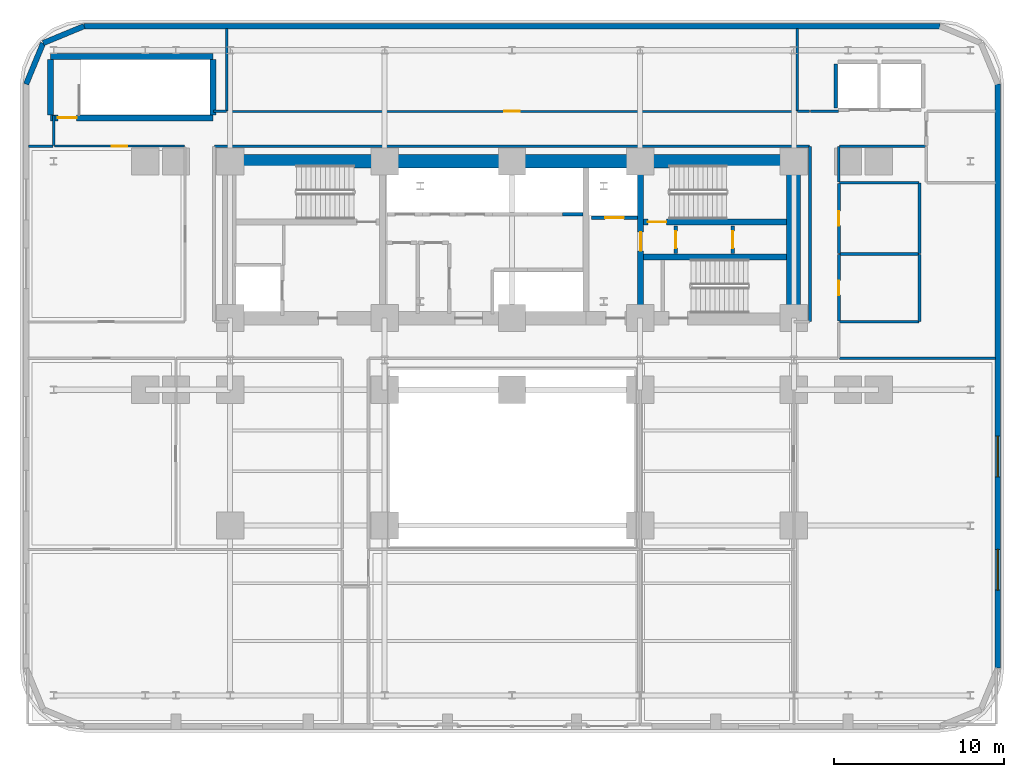
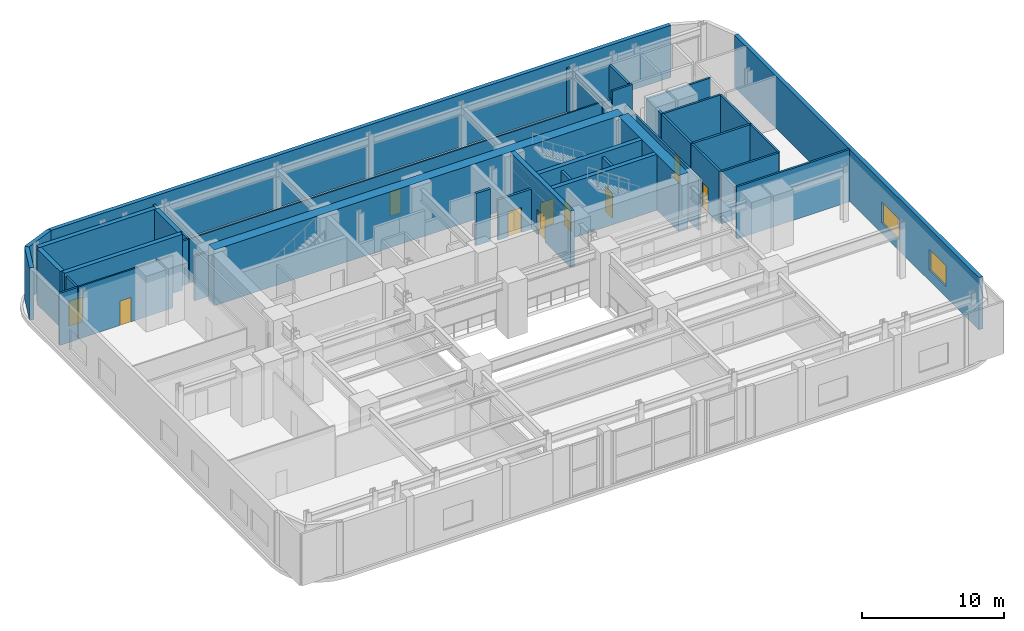
# One storey, part 8 of 15: 39 walls, 10 doors, 2 windows, 12 openings.
"""IFC4 building model written with IfcOpenShell, lengths in metres."""

from ifc_helpers import new_model, si_unit, direction, frame, frame_2d, origin, place, context, subcontext, project, spatial, rectangle, extrude, material, layer, layer_set, type_object, element, fill, save


model = new_model("IFC4")

# Units and contexts
model_context = context("Model", 3, precision=1e-05, world=origin(), true_north=direction((0.0, 1.0)))
body_context = subcontext(model_context, "Body", "Model", "MODEL_VIEW")
ifc_project = project(units=[si_unit("LENGTHUNIT", "METRE"), si_unit("AREAUNIT", "SQUARE_METRE"), si_unit("VOLUMEUNIT", "CUBIC_METRE"), si_unit("PLANEANGLEUNIT", "RADIAN"), si_unit("MASSUNIT", "GRAM", prefix="KILO")], contexts=[model_context])

# Site, building, storey
site_placement = place(None, origin())
site = spatial("IfcSite", under=ifc_project, at=site_placement, CompositionType="ELEMENT")
building_placement = place(site_placement, origin())
building = spatial("IfcBuilding", under=site, at=building_placement, Name="Zarnavel Station Tower", CompositionType="ELEMENT")
storey_placement = place(building_placement, frame((0.0, 0.0, 24.199951171875)))
storey = spatial("IfcBuildingStorey", under=building, at=storey_placement, Name="L06", CompositionType="ELEMENT", Elevation=24.199951171875)

# Wall, opening, door
ifc_material_1 = material(Name="Concrete C50/60", Category="concrete")
ifc_layer_1 = layer(ifc_material_1, 0.35009765625)
ifc_layer_set_1 = layer_set([ifc_layer_1], Name="CW_350")
wall_type_1 = type_object("IfcWallType", Name="CW_350", PredefinedType="SHEAR", material=ifc_layer_set_1)
wall_1_placement = place(storey_placement, frame((36.3798828125, 28.219970703125, 0.0), z_axis=(0.0, 0.0, 1.0), x_axis=(0.0, 1.0, 0.0)))
wall_1 = element("IfcWall", 1, at=wall_1_placement, inside=storey, type_object=wall_type_1, Name="L06 Rear Core Shear Wall DIV-S2", PredefinedType="SHEAR", context=body_context, shape_type="SweptSolid", body=[
    extrude(rectangle(XDim=8.429931640625, YDim=0.35009765625, at=frame_2d((4.21484375, 0.0))), origin(), (0.0, 0.0, 1.0), 4.800048828125),
])
opening_1_placement = place(wall_1_placement, frame((3.56005859375, 0.0, 0.0)))
opening_1 = element("IfcOpeningElement", 2, at=opening_1_placement, cuts=wall_1, Name="Opening FD01", PredefinedType="OPENING", context=body_context, shape_type="SweptSolid", body=[
    extrude(rectangle(XDim=1.10009765625, YDim=2.14990234375, at=frame_2d((0.550048828125, 1.074951171875))), frame((0.0, 0.18505859375, 0.0), z_axis=(0.0, -1.0, 0.0), x_axis=(1.0, 0.0, 0.0)), (0.0, 0.0, 1.0), 0.3701171875),
])
ifc_material_2 = material(Name="Painted Galvanised Steel and Hardwood Leaf", Category="steel")
door_type_1 = type_object("IfcDoorType", Name="ID_STAIR_1100", OperationType="NOTDEFINED", PredefinedType="DOOR", material=ifc_material_2)
door_1_placement = place(opening_1_placement, origin())
door_1 = element("IfcDoor", 3, at=door_1_placement, inside=storey, type_object=door_type_1, Name="L06 East Stair Vestibule Fire Door", OperationType="SINGLE_SWING_LEFT", OverallHeight=2.14990234375, OverallWidth=1.10009765625, PredefinedType="DOOR", context=body_context, shape_type="SweptSolid", body=[
    extrude(rectangle(XDim=1.10009765625, YDim=2.14990234375, at=frame_2d((0.550048828125, 1.074951171875))), frame((0.0, 0.02490234375, 0.0), z_axis=(0.0, -1.0, 0.0), x_axis=(1.0, 0.0, 0.0)), (0.0, 0.0, 1.0), 0.050048828125),
])
fill(opening_1, door_1)

wall_2_placement = place(storey_placement, frame((44.97998046875, 33.47998046875, 0.0), z_axis=(0.0, 0.0, 1.0), x_axis=(-1.0, 0.0, 0.0)))
wall_2 = element("IfcWall", 4, at=wall_2_placement, inside=storey, type_object=wall_type_1, Name="L06 Rear Core Shear Wall DIV-H2", PredefinedType="SHEAR", context=body_context, shape_type="SweptSolid", body=[
    extrude(rectangle(XDim=8.425048828125, YDim=0.35009765625, at=frame_2d((4.21240234375, 0.0))), origin(), (0.0, 0.0, 1.0), 4.800048828125),
])
opening_2_placement = place(wall_2_placement, frame((7.080078125, 0.0, 0.0)))
opening_2 = element("IfcOpeningElement", 5, at=opening_2_placement, cuts=wall_2, Name="Opening FD01", PredefinedType="OPENING", context=body_context, shape_type="SweptSolid", body=[
    extrude(rectangle(XDim=1.10009765625, YDim=2.14990234375, at=frame_2d((0.550048828125, 1.074951171875))), frame((0.0, 0.18505859375, 0.0), z_axis=(0.0, -1.0, 0.0), x_axis=(1.0, 0.0, 0.0)), (0.0, 0.0, 1.0), 0.3701171875),
])
door_2_placement = place(opening_2_placement, origin())
door_2 = element("IfcDoor", 6, at=door_2_placement, inside=storey, type_object=door_type_1, Name="L06 Stair ST2 Lobby Fire Door", OperationType="SINGLE_SWING_RIGHT", OverallHeight=2.14990234375, OverallWidth=1.10009765625, PredefinedType="DOOR", context=body_context, shape_type="SweptSolid", body=[
    extrude(rectangle(XDim=1.10009765625, YDim=2.14990234375, at=frame_2d((0.550048828125, 1.074951171875))), frame((0.0, 0.02490234375, 0.0), z_axis=(0.0, -1.0, 0.0), x_axis=(1.0, 0.0, 0.0)), (0.0, 0.0, 1.0), 0.050048828125),
])
fill(opening_2, door_2)

# Walls
wall_3_placement = place(storey_placement, frame((36.554931640625, 31.419921875, 0.0), z_axis=(0.0, 0.0, 1.0), x_axis=(1.0, 0.0, 0.0)))
element("IfcWall", 7, at=wall_3_placement, inside=storey, type_object=wall_type_1, Name="L06 Rear Core Shear Wall DIV-H3", PredefinedType="SHEAR", context=body_context, shape_type="SweptSolid", body=[
    extrude(rectangle(XDim=8.425048828125, YDim=0.35009765625, at=frame_2d((4.21240234375, 0.0))), origin(), (0.0, 0.0, 1.0), 4.800048828125),
])
wall_4_placement = place(storey_placement, frame((1.6201171875, 43.239990234375, 0.0), z_axis=(0.0, 0.0, 1.0), x_axis=(1.0, 0.0, 0.0)))
element("IfcWall", 8, at=wall_4_placement, inside=storey, type_object=wall_type_1, Name="L06 Rear Core Shear Wall ST4-N", PredefinedType="SHEAR", context=body_context, shape_type="SweptSolid", body=[
    extrude(rectangle(XDim=9.559814453125, YDim=0.35009765625, at=frame_2d((4.77978515625, 0.0))), origin(), (0.0, 0.0, 1.0), 4.800048828125),
])

# Wall, opening, door
wall_5_placement = place(storey_placement, frame((11.179931640625, 39.6201171875, 0.0), z_axis=(0.0, 0.0, 1.0), x_axis=(-1.0, 0.0, 0.0)))
wall_5 = element("IfcWall", 9, at=wall_5_placement, inside=storey, type_object=wall_type_1, Name="L06 Rear Core Shear Wall ST4-S", PredefinedType="SHEAR", context=body_context, shape_type="SweptSolid", body=[
    extrude(rectangle(XDim=9.559814453125, YDim=0.35009765625, at=frame_2d((4.77978515625, 0.0))), origin(), (0.0, 0.0, 1.0), 4.800048828125),
])
opening_3_placement = place(wall_5_placement, frame((8.030029296875, 0.0, 0.0)))
opening_3 = element("IfcOpeningElement", 10, at=opening_3_placement, cuts=wall_5, Name="Opening FD01", PredefinedType="OPENING", context=body_context, shape_type="SweptSolid", body=[
    extrude(rectangle(XDim=1.10009765625, YDim=2.14990234375, at=frame_2d((0.550048828125, 1.074951171875))), frame((0.0, 0.18505859375, 0.0), z_axis=(0.0, -1.0, 0.0), x_axis=(1.0, 0.0, 0.0)), (0.0, 0.0, 1.0), 0.3701171875),
])
door_3_placement = place(opening_3_placement, origin())
door_3 = element("IfcDoor", 11, at=door_3_placement, inside=storey, type_object=door_type_1, Name="L06 Podium Stair ST4 Fire Door", OperationType="SINGLE_SWING_RIGHT", OverallHeight=2.14990234375, OverallWidth=1.10009765625, PredefinedType="DOOR", context=body_context, shape_type="SweptSolid", body=[
    extrude(rectangle(XDim=1.10009765625, YDim=2.14990234375, at=frame_2d((0.550048828125, 1.074951171875))), frame((0.0, 0.02490234375, 0.0), z_axis=(0.0, -1.0, 0.0), x_axis=(1.0, 0.0, 0.0)), (0.0, 0.0, 1.0), 0.050048828125),
])
fill(opening_3, door_3)

# Walls
for number, where, z_axis, x_axis, name in (
    (12, (1.6201171875, 39.794921875, 0.0), (0.0, 0.0, 1.0), (0.0, 1.0, 0.0), "L06 Rear Core Shear Wall ST4-W"),
    (13, (11.179931640625, 39.794921875, 0.0), (0.0, 0.0, 1.0), (0.0, 1.0, 0.0), "L06 Rear Core Shear Wall ST4-E"),
):
    element("IfcWall", number, at=place(storey_placement, frame(where, z_axis=z_axis, x_axis=x_axis)), inside=storey, type_object=wall_type_1, Name=name, PredefinedType="SHEAR", context=body_context, shape_type="SweptSolid", body=[
        extrude(rectangle(XDim=3.27001953125, YDim=0.35009765625, at=frame_2d((1.635009765625, 0.0))), origin(), (0.0, 0.0, 1.0), 4.800048828125),
    ])
ifc_material_3 = material(Name="Concrete C60/75", Category="concrete")
ifc_layer_2 = layer(ifc_material_3, 0.800048828125)
ifc_layer_set_2 = layer_set([ifc_layer_2], Name="CW_800")
wall_type_2 = type_object("IfcWallType", Name="CW_800", PredefinedType="SHEAR", material=ifc_layer_set_2)
wall_6_placement = place(storey_placement, frame((12.14990234375, 37.050048828125, 0.0), z_axis=(0.0, 0.0, 1.0), x_axis=(1.0, 0.0, 0.0)))
element("IfcWall", 14, at=wall_6_placement, inside=storey, type_object=wall_type_2, Name="L06 Rear Core Shear Wall N", PredefinedType="SHEAR", context=body_context, shape_type="SweptSolid", body=[
    extrude(rectangle(XDim=33.22998046875, YDim=0.800048828125, at=frame_2d((16.614990234375, 0.0))), origin(), (0.0, 0.0, 1.0), 4.800048828125),
])
wall_7_placement = place(storey_placement, frame((45.3798828125, 28.219970703125, 0.0), z_axis=(0.0, 0.0, 1.0), x_axis=(0.0, 1.0, 0.0)))
element("IfcWall", 15, at=wall_7_placement, inside=storey, type_object=wall_type_2, Name="L06 Rear Core Shear Wall E", PredefinedType="SHEAR", context=body_context, shape_type="SweptSolid", body=[
    extrude(rectangle(XDim=8.429931640625, YDim=0.800048828125, at=frame_2d((4.21484375, 0.0))), origin(), (0.0, 0.0, 1.0), 4.800048828125),
])

# Wall, openings, windows
ifc_material_4 = material(Name="Precast concrete C45/55 (Podium Basalt Frame)", Category="masonry")
ifc_layer_3 = layer(ifc_material_4, 0.320068359375)
ifc_layer_set_3 = layer_set([ifc_layer_3], Name="EW_BASALT_320")
wall_type_3 = type_object("IfcWallType", Name="EW_BASALT_320", PredefinedType="SOLIDWALL", material=ifc_layer_set_3)
wall_8_placement = place(storey_placement, frame((57.419921875, 41.60009765625, 0.0), z_axis=(0.0, 0.0, 1.0), x_axis=(0.0, -1.0, 0.0)))
wall_8 = element("IfcWall", 16, at=wall_8_placement, inside=storey, type_object=wall_type_3, Name="L06 Exterior Basalt Masonry Frame Wall 03", PredefinedType="SOLIDWALL", context=body_context, shape_type="SweptSolid", body=[
    extrude(rectangle(XDim=34.400146484375, YDim=0.320068359375, at=frame_2d((17.2001953125, 0.0))), origin(), (0.0, 0.0, 1.0), 4.47998046875),
])
opening_4_placement = place(wall_8_placement, frame((20.726806640625, 0.0, 0.89990234375)))
opening_4 = element("IfcOpeningElement", 17, at=opening_4_placement, cuts=wall_8, Name="Opening WN03", PredefinedType="OPENING", context=body_context, shape_type="SweptSolid", body=[
    extrude(rectangle(XDim=2.39990234375, YDim=1.800048828125, at=frame_2d((1.199951171875, 0.89990234375))), frame((0.0, 0.169921875, 0.0), z_axis=(0.0, -1.0, 0.0), x_axis=(1.0, 0.0, 0.0)), (0.0, 0.0, 1.0), 0.340087890625),
])
opening_5_placement = place(wall_8_placement, frame((27.4033203125, 0.0, 0.89990234375)))
opening_5 = element("IfcOpeningElement", 18, at=opening_5_placement, cuts=wall_8, Name="Opening WN03", PredefinedType="OPENING", context=body_context, shape_type="SweptSolid", body=[
    extrude(rectangle(XDim=2.39990234375, YDim=1.800048828125, at=frame_2d((1.199951171875, 0.89990234375))), frame((0.0, 0.169921875, 0.0), z_axis=(0.0, -1.0, 0.0), x_axis=(1.0, 0.0, 0.0)), (0.0, 0.0, 1.0), 0.340087890625),
])
ifc_material_5 = material(Name="Thermally Broken Black Aluminium and Low-E Dark Glass", Category="aluminium")
window_type = type_object("IfcWindowType", Name="WN_2400x1800", PartitioningType="TRIPLE_PANEL_VERTICAL", PredefinedType="WINDOW", material=ifc_material_5)
window_1_placement = place(opening_4_placement, origin())
window_1 = element("IfcWindow", 19, at=window_1_placement, inside=storey, type_object=window_type, Name="L06 Recessed Facade Window 01", OverallHeight=1.800048828125, OverallWidth=2.39990234375, PartitioningType="SINGLE_PANEL", PredefinedType="WINDOW", context=body_context, shape_type="SweptSolid", body=[
    extrude(rectangle(XDim=2.39990234375, YDim=1.800048828125, at=frame_2d((1.199951171875, 0.89990234375))), frame((0.0, 0.030029296875, 0.0), z_axis=(0.0, -1.0, 0.0), x_axis=(1.0, 0.0, 0.0)), (0.0, 0.0, 1.0), 0.06005859375),
])
fill(opening_4, window_1)
window_2_placement = place(opening_5_placement, origin())
window_2 = element("IfcWindow", 20, at=window_2_placement, inside=storey, type_object=window_type, Name="L06 Recessed Facade Window 02", OverallHeight=1.800048828125, OverallWidth=2.39990234375, PartitioningType="SINGLE_PANEL", PredefinedType="WINDOW", context=body_context, shape_type="SweptSolid", body=[
    extrude(rectangle(XDim=2.39990234375, YDim=1.800048828125, at=frame_2d((1.199951171875, 0.89990234375))), frame((0.0, 0.030029296875, 0.0), z_axis=(0.0, -1.0, 0.0), x_axis=(1.0, 0.0, 0.0)), (0.0, 0.0, 1.0), 0.06005859375),
])
fill(opening_5, window_2)

# Walls
wall_9_placement = place(storey_placement, frame((3.60009765625, 45.02001953125, 0.0), z_axis=(0.0, 0.0, 1.0), x_axis=(1.0, 0.0, 0.0)))
element("IfcWall", 21, at=wall_9_placement, inside=storey, type_object=wall_type_3, Name="L06 Exterior Basalt Masonry Frame Wall 06", PredefinedType="SOLIDWALL", context=body_context, shape_type="SweptSolid", body=[
    extrude(rectangle(XDim=50.39990234375, YDim=0.320068359375, at=frame_2d((25.199951171875, 0.0))), origin(), (0.0, 0.0, 1.0), 4.47998046875),
])
wall_10_placement = place(storey_placement, frame((1.181640625, 44.018310546875, 0.0), z_axis=(0.0, 0.0, 1.0), x_axis=(0.923886112352, 0.382667546838, 0.0)))
element("IfcWall", 22, at=wall_10_placement, inside=storey, type_object=wall_type_3, Name="L06 Exterior Basalt Masonry Frame Wall 07", PredefinedType="SOLIDWALL", context=body_context, shape_type="SweptSolid", body=[
    extrude(rectangle(XDim=2.61767578125, YDim=0.320068359375, at=frame_2d((1.308837890625, 0.0))), origin(), (0.0, 0.0, 1.0), 4.47998046875),
])
wall_11_placement = place(storey_placement, frame((0.179931640625, 41.60009765625, 0.0), z_axis=(0.0, 0.0, 1.0), x_axis=(0.382700522567, 0.923872453333, 0.0)))
element("IfcWall", 23, at=wall_11_placement, inside=storey, type_object=wall_type_3, Name="L06 Exterior Basalt Masonry Frame Wall 08", PredefinedType="SOLIDWALL", context=body_context, shape_type="SweptSolid", body=[
    extrude(rectangle(XDim=2.617431640625, YDim=0.320068359375, at=frame_2d((1.30859375, 0.0))), origin(), (0.0, 0.0, 1.0), 4.47998046875),
])
ifc_material_6 = material(Name="Gypsum Twin-Stud Acoustic Fire Partition", Category="concrete")
ifc_layer_4 = layer(ifc_material_6, 0.159912109375)
ifc_layer_set_4 = layer_set([ifc_layer_4], Name="PT_DEMISE_160")
wall_type_4 = type_object("IfcWallType", Name="PT_DEMISE_160", PredefinedType="PARTITIONING", material=ifc_layer_set_4)
wall_12_placement = place(storey_placement, frame((46.3798828125, 40.0, 0.0), z_axis=(0.0, 0.0, 1.0), x_axis=(1.0, 0.0, 0.0)))
element("IfcWall", 24, at=wall_12_placement, inside=storey, type_object=wall_type_4, Name="L06 Enclosure Wall PCOR-E", PredefinedType="PARTITIONING", context=body_context, shape_type="SweptSolid", body=[
    extrude(rectangle(XDim=1.64013671875, YDim=0.159912109375, at=frame_2d((0.820068359375, 0.0))), origin(), (0.0, 0.0, 1.0), 4.47998046875),
])
wall_13_placement = place(storey_placement, frame((46.35009765625, 27.6298828125, 0.0), z_axis=(0.0, 0.0, 1.0), x_axis=(0.0, 1.0, 0.0)))
element("IfcWall", 25, at=wall_13_placement, inside=storey, type_object=wall_type_4, Name="L06 Enclosure Wall PCOR-E", PredefinedType="PARTITIONING", context=body_context, shape_type="SweptSolid", body=[
    extrude(rectangle(XDim=10.2900390625, YDim=0.159912109375, at=frame_2d((5.14501953125, 0.0))), origin(), (0.0, 0.0, 1.0), 4.47998046875),
])
wall_14_placement = place(storey_placement, frame((48.050048828125, 35.830078125, 0.0), z_axis=(0.0, 0.0, 1.0), x_axis=(0.0, 1.0, 0.0)))
element("IfcWall", 26, at=wall_14_placement, inside=storey, type_object=wall_type_4, Name="L06 Enclosure Wall PCOR-E", PredefinedType="PARTITIONING", context=body_context, shape_type="SweptSolid", body=[
    extrude(rectangle(XDim=2.08984375, YDim=0.159912109375, at=frame_2d((1.044921875, 0.0))), origin(), (0.0, 0.0, 1.0), 4.47998046875),
])
wall_15_placement = place(storey_placement, frame((11.280029296875, 37.949951171875, 0.0), z_axis=(0.0, 0.0, 1.0), x_axis=(1.0, 0.0, 0.0)))
element("IfcWall", 27, at=wall_15_placement, inside=storey, type_object=wall_type_4, Name="L06 Enclosure Wall PCOR-N", PredefinedType="PARTITIONING", context=body_context, shape_type="SweptSolid", body=[
    extrude(rectangle(XDim=35.0400390625, YDim=0.159912109375, at=frame_2d((17.52001953125, 0.0))), origin(), (0.0, 0.0, 1.0), 3.81005859375),
])
wall_16_placement = place(storey_placement, frame((11.2099609375, 40.0, 0.0), z_axis=(0.0, 0.0, 1.0), x_axis=(1.0, 0.0, 0.0)))
element("IfcWall", 28, at=wall_16_placement, inside=storey, type_object=wall_type_4, Name="L06 Enclosure Wall PCOR-N", PredefinedType="PARTITIONING", context=body_context, shape_type="SweptSolid", body=[
    extrude(rectangle(XDim=0.760009765625, YDim=0.159912109375, at=frame_2d((0.3798828125, 0.0))), origin(), (0.0, 0.0, 1.0), 3.81005859375),
])
wall_17_placement = place(storey_placement, frame((45.6298828125, 40.0, 0.0), z_axis=(0.0, 0.0, 1.0), x_axis=(1.0, 0.0, 0.0)))
element("IfcWall", 29, at=wall_17_placement, inside=storey, type_object=wall_type_4, Name="L06 Enclosure Wall PCOR-N", PredefinedType="PARTITIONING", context=body_context, shape_type="SweptSolid", body=[
    extrude(rectangle(XDim=0.690185546875, YDim=0.159912109375, at=frame_2d((0.34521484375, 0.0))), origin(), (0.0, 0.0, 1.0), 3.81005859375),
])
wall_18_placement = place(storey_placement, frame((1.800048828125, 37.97998046875, 0.0), z_axis=(0.0, 0.0, 1.0), x_axis=(0.0, 1.0, 0.0)))
element("IfcWall", 30, at=wall_18_placement, inside=storey, type_object=wall_type_4, Name="L06 Enclosure Wall PCOR-N", PredefinedType="PARTITIONING", context=body_context, shape_type="SweptSolid", body=[
    extrude(rectangle(XDim=1.784912109375, YDim=0.159912109375, at=frame_2d((0.892578125, 0.0))), origin(), (0.0, 0.0, 1.0), 4.47998046875),
])
wall_19_placement = place(storey_placement, frame((0.31005859375, 37.949951171875, 0.0), z_axis=(0.0, 0.0, 1.0), x_axis=(1.0, 0.0, 0.0)))
element("IfcWall", 31, at=wall_19_placement, inside=storey, type_object=wall_type_4, Name="L06 Enclosure Wall PNW", PredefinedType="PARTITIONING", context=body_context, shape_type="SweptSolid", body=[
    extrude(rectangle(XDim=1.4599609375, YDim=0.159912109375, at=frame_2d((0.72998046875, 0.0))), origin(), (0.0, 0.0, 1.0), 4.47998046875),
])
wall_20_placement = place(storey_placement, frame((48.080078125, 37.949951171875, 0.0), z_axis=(0.0, 0.0, 1.0), x_axis=(1.0, 0.0, 0.0)))
element("IfcWall", 32, at=wall_20_placement, inside=storey, type_object=wall_type_4, Name="L06 Enclosure Wall PLLOB", PredefinedType="PARTITIONING", context=body_context, shape_type="SweptSolid", body=[
    extrude(rectangle(XDim=5.08984375, YDim=0.159912109375, at=frame_2d((2.544921875, 0.0))), origin(), (0.0, 0.0, 1.0), 4.47998046875),
])
wall_21_placement = place(storey_placement, frame((48.080078125, 27.60009765625, 0.0), z_axis=(0.0, 0.0, 1.0), x_axis=(1.0, 0.0, 0.0)))
element("IfcWall", 33, at=wall_21_placement, inside=storey, type_object=wall_type_4, Name="L06 Enclosure Wall PWC-M", PredefinedType="PARTITIONING", context=body_context, shape_type="SweptSolid", body=[
    extrude(rectangle(XDim=4.68994140625, YDim=0.159912109375, at=frame_2d((2.344970703125, 0.0))), origin(), (0.0, 0.0, 1.0), 4.47998046875),
])
wall_22_placement = place(storey_placement, frame((52.800048828125, 27.6298828125, 0.0), z_axis=(0.0, 0.0, 1.0), x_axis=(0.0, 1.0, 0.0)))
element("IfcWall", 34, at=wall_22_placement, inside=storey, type_object=wall_type_4, Name="L06 Enclosure Wall PWC-M", PredefinedType="PARTITIONING", context=body_context, shape_type="SweptSolid", body=[
    extrude(rectangle(XDim=3.940185546875, YDim=0.159912109375, at=frame_2d((1.97021484375, 0.0))), origin(), (0.0, 0.0, 1.0), 4.47998046875),
])
wall_23_placement = place(storey_placement, frame((48.080078125, 35.800048828125, 0.0), z_axis=(0.0, 0.0, 1.0), x_axis=(1.0, 0.0, 0.0)))
element("IfcWall", 35, at=wall_23_placement, inside=storey, type_object=wall_type_4, Name="L06 Enclosure Wall PWC-F", PredefinedType="PARTITIONING", context=body_context, shape_type="SweptSolid", body=[
    extrude(rectangle(XDim=4.68994140625, YDim=0.159912109375, at=frame_2d((2.344970703125, 0.0))), origin(), (0.0, 0.0, 1.0), 4.47998046875),
])
wall_24_placement = place(storey_placement, frame((52.800048828125, 31.6298828125, 0.0), z_axis=(0.0, 0.0, 1.0), x_axis=(0.0, 1.0, 0.0)))
element("IfcWall", 36, at=wall_24_placement, inside=storey, type_object=wall_type_4, Name="L06 Enclosure Wall PWC-F", PredefinedType="PARTITIONING", context=body_context, shape_type="SweptSolid", body=[
    extrude(rectangle(XDim=4.14013671875, YDim=0.159912109375, at=frame_2d((2.070068359375, 0.0))), origin(), (0.0, 0.0, 1.0), 4.47998046875),
])
wall_25_placement = place(storey_placement, frame((48.080078125, 25.449951171875, 0.0), z_axis=(0.0, 0.0, 1.0), x_axis=(1.0, 0.0, 0.0)))
element("IfcWall", 37, at=wall_25_placement, inside=storey, type_object=wall_type_4, Name="L06 Enclosure Wall BOFE", PredefinedType="PARTITIONING", context=body_context, shape_type="SweptSolid", body=[
    extrude(rectangle(XDim=9.2099609375, YDim=0.159912109375, at=frame_2d((4.60498046875, 0.0))), origin(), (0.0, 0.0, 1.0), 4.47998046875),
])
for number, where, z_axis, x_axis, name in (
    (38, (12.0, 40.030029296875, 0.0), (0.0, 0.0, 1.0), (0.0, 1.0, 0.0), "L06 Enclosure Wall HSKP0"),
    (39, (45.60009765625, 40.030029296875, 0.0), (0.0, 0.0, 1.0), (0.0, 1.0, 0.0), "L06 Enclosure Wall HSKP0"),
):
    element("IfcWall", number, at=place(storey_placement, frame(where, z_axis=z_axis, x_axis=x_axis)), inside=storey, type_object=wall_type_4, Name=name, PredefinedType="PARTITIONING", context=body_context, shape_type="SweptSolid", body=[
        extrude(rectangle(XDim=4.85986328125, YDim=0.159912109375, at=frame_2d((2.429931640625, 0.0))), origin(), (0.0, 0.0, 1.0), 3.81005859375),
    ])

# Wall, opening, door
ifc_material_7 = material(Name="Gypsum Metal-Stud Interior Partition", Category="concrete")
ifc_layer_5 = layer(ifc_material_7, 0.1201171875)
ifc_layer_set_5 = layer_set([ifc_layer_5], Name="PT_ROOM_120")
wall_type_5 = type_object("IfcWallType", Name="PT_ROOM_120", PredefinedType="PARTITIONING", material=ifc_layer_set_5)
wall_26_placement = place(storey_placement, frame((1.840087890625, 37.949951171875, 0.0), z_axis=(0.0, 0.0, 1.0), x_axis=(1.0, 0.0, 0.0)))
wall_26 = element("IfcWall", 40, at=wall_26_placement, inside=storey, type_object=wall_type_5, Name="L06 Partition PCOR-N-PNW", PredefinedType="PARTITIONING", context=body_context, shape_type="SweptSolid", body=[
    extrude(rectangle(XDim=7.669921875, YDim=0.1201171875, at=frame_2d((3.8349609375, 0.0))), origin(), (0.0, 0.0, 1.0), 4.47998046875),
])
opening_6_placement = place(wall_26_placement, frame((3.385009765625, 0.0, 0.0)))
opening_6 = element("IfcOpeningElement", 41, at=opening_6_placement, cuts=wall_26, Name="Opening ID01", PredefinedType="OPENING", context=body_context, shape_type="SweptSolid", body=[
    extrude(rectangle(XDim=0.89990234375, YDim=2.10009765625, at=frame_2d((0.449951171875, 1.050048828125))), frame((0.0, 0.070068359375, 0.0), z_axis=(0.0, -1.0, 0.0), x_axis=(1.0, 0.0, 0.0)), (0.0, 0.0, 1.0), 0.14013671875),
])
ifc_material_8 = material(Name="Painted Galvanised Steel and Hardwood Leaf", Category="steel")
door_type_2 = type_object("IfcDoorType", Name="ID_ROOM_900", OperationType="NOTDEFINED", PredefinedType="DOOR", material=ifc_material_8)
door_4_placement = place(opening_6_placement, origin())
door_4 = element("IfcDoor", 42, at=door_4_placement, inside=storey, type_object=door_type_2, Name="L06 Door PCOR-N-PNW", OperationType="SINGLE_SWING_LEFT", OverallHeight=2.10009765625, OverallWidth=0.89990234375, PredefinedType="DOOR", context=body_context, shape_type="SweptSolid", body=[
    extrude(rectangle(XDim=0.89990234375, YDim=2.10009765625, at=frame_2d((0.449951171875, 1.050048828125))), frame((0.0, 0.02490234375, 0.0), z_axis=(0.0, -1.0, 0.0), x_axis=(1.0, 0.0, 0.0)), (0.0, 0.0, 1.0), 0.050048828125),
])
fill(opening_6, door_4)

wall_27_placement = place(storey_placement, frame((12.0400390625, 40.0, 0.0), z_axis=(0.0, 0.0, 1.0), x_axis=(1.0, 0.0, 0.0)))
wall_27 = element("IfcWall", 43, at=wall_27_placement, inside=storey, type_object=wall_type_5, Name="L06 Partition PCOR-N-HSKP0", PredefinedType="PARTITIONING", context=body_context, shape_type="SweptSolid", body=[
    extrude(rectangle(XDim=33.52001953125, YDim=0.1201171875, at=frame_2d((16.760009765625, 0.0))), origin(), (0.0, 0.0, 1.0), 3.81005859375),
])
opening_7_placement = place(wall_27_placement, frame((16.31005859375, 0.0, 0.0)))
opening_7 = element("IfcOpeningElement", 44, at=opening_7_placement, cuts=wall_27, Name="Opening ID01", PredefinedType="OPENING", context=body_context, shape_type="SweptSolid", body=[
    extrude(rectangle(XDim=0.89990234375, YDim=2.10009765625, at=frame_2d((0.449951171875, 1.050048828125))), frame((0.0, 0.070068359375, 0.0), z_axis=(0.0, -1.0, 0.0), x_axis=(1.0, 0.0, 0.0)), (0.0, 0.0, 1.0), 0.14013671875),
])
door_5_placement = place(opening_7_placement, origin())
door_5 = element("IfcDoor", 45, at=door_5_placement, inside=storey, type_object=door_type_2, Name="L06 Door PCOR-N-HSKP0", OperationType="SINGLE_SWING_RIGHT", OverallHeight=2.10009765625, OverallWidth=0.89990234375, PredefinedType="DOOR", context=body_context, shape_type="SweptSolid", body=[
    extrude(rectangle(XDim=0.89990234375, YDim=2.10009765625, at=frame_2d((0.449951171875, 1.050048828125))), frame((0.0, 0.02490234375, 0.0), z_axis=(0.0, -1.0, 0.0), x_axis=(1.0, 0.0, 0.0)), (0.0, 0.0, 1.0), 0.050048828125),
])
fill(opening_7, door_5)

ifc_material_9 = material(Name="Precast concrete C45/55 (Fire Shaft Blockwork)", Category="masonry")
ifc_layer_6 = layer(ifc_material_9, 0.199951171875)
ifc_layer_set_6 = layer_set([ifc_layer_6], Name="PT_SHAFT_200")
wall_type_6 = type_object("IfcWallType", Name="PT_SHAFT_200", PredefinedType="PARTITIONING", material=ifc_layer_set_6)
wall_28_placement = place(storey_placement, frame((33.47509765625, 33.72998046875, 0.0), z_axis=(0.0, 0.0, 1.0), x_axis=(1.0, 0.0, 0.0)))
wall_28 = element("IfcWall", 46, at=wall_28_placement, inside=storey, type_object=wall_type_6, Name="L06 Lift FFL-02 Shaft Front Wall", PredefinedType="PARTITIONING", context=body_context, shape_type="SweptSolid", body=[
    extrude(rectangle(XDim=2.724853515625, YDim=0.199951171875, at=frame_2d((1.3623046875, 0.0))), origin(), (0.0, 0.0, 1.0), 3.4521484375),
])
opening_8_placement = place(wall_28_placement, frame((0.8125, 0.0, 0.0)))
opening_8 = element("IfcOpeningElement", 47, at=opening_8_placement, cuts=wall_28, Name="Opening LD01", PredefinedType="OPENING", context=body_context, shape_type="SweptSolid", body=[
    extrude(rectangle(XDim=1.10009765625, YDim=2.14990234375, at=frame_2d((0.550048828125, 1.074951171875))), frame((0.0, 0.10986328125, 0.0), z_axis=(0.0, -1.0, 0.0), x_axis=(1.0, 0.0, 0.0)), (0.0, 0.0, 1.0), 0.219970703125),
])
ifc_material_10 = material(Name="Painted Galvanised Steel and Hardwood Leaf", Category="steel")
door_type_3 = type_object("IfcDoorType", Name="LD_FF_1100", OperationType="DOUBLE_DOOR_SLIDING", PredefinedType="DOOR", material=ifc_material_10)
door_6_placement = place(opening_8_placement, origin())
door_6 = element("IfcDoor", 48, at=door_6_placement, inside=storey, type_object=door_type_3, Name="L06 Lift FFL-02 Sliding Landing Door", OperationType="DOUBLE_DOOR_SLIDING", OverallHeight=2.14990234375, OverallWidth=1.10009765625, PredefinedType="DOOR", context=body_context, shape_type="SweptSolid", body=[
    extrude(rectangle(XDim=1.10009765625, YDim=2.14990234375, at=frame_2d((0.550048828125, 1.074951171875))), frame((0.0, 0.02490234375, 0.0), z_axis=(0.0, -1.0, 0.0), x_axis=(1.0, 0.0, 0.0)), (0.0, 0.0, 1.0), 0.050048828125),
])
fill(opening_8, door_6)

# Walls
wall_29_placement = place(storey_placement, frame((31.77490234375, 33.929931640625, 0.0), z_axis=(0.0, 0.0, 1.0), x_axis=(1.0, 0.0, 0.0)))
element("IfcWall", 49, at=wall_29_placement, inside=storey, type_object=wall_type_6, Name="L06 Lift PL-M3 Shaft Front Wall", PredefinedType="PARTITIONING", context=body_context, shape_type="SweptSolid", body=[
    extrude(rectangle(XDim=1.2001953125, YDim=0.199951171875, at=frame_2d((0.60009765625, 0.0))), origin(), (0.0, 0.0, 1.0), 4.47998046875),
])
wall_30_placement = place(storey_placement, frame((47.8798828125, 40.199951171875, 0.0), z_axis=(0.0, 0.0, 1.0), x_axis=(0.0, 1.0, 0.0)))
element("IfcWall", 50, at=wall_30_placement, inside=storey, type_object=wall_type_6, Name="L06 Lift PL-P1 Shaft Wall W", PredefinedType="PARTITIONING", context=body_context, shape_type="SweptSolid", body=[
    extrude(rectangle(XDim=2.60009765625, YDim=0.199951171875, at=frame_2d((1.300048828125, 0.0))), origin(), (0.0, 0.0, 1.0), 4.47998046875),
])

# Wall, opening, door
wall_31_placement = place(storey_placement, frame((38.449951171875, 31.639892578125, 0.0), z_axis=(0.0, 0.0, 1.0), x_axis=(0.0, 1.0, 0.0)))
wall_31 = element("IfcWall", 51, at=wall_31_placement, inside=storey, type_object=wall_type_6, Name="L06 Partition ESTV-CEA", PredefinedType="PARTITIONING", context=body_context, shape_type="SweptSolid", body=[
    extrude(rectangle(XDim=1.6201171875, YDim=0.199951171875, at=frame_2d((0.81005859375, 0.0))), origin(), (0.0, 0.0, 1.0), 4.47998046875),
])
opening_9_placement = place(wall_31_placement, frame((0.31005859375, 0.0, 0.0)))
opening_9 = element("IfcOpeningElement", 52, at=opening_9_placement, cuts=wall_31, Name="Opening FD02", PredefinedType="OPENING", context=body_context, shape_type="SweptSolid", body=[
    extrude(rectangle(XDim=1.0, YDim=2.14990234375, at=frame_2d((0.5, 1.074951171875))), frame((0.0, 0.10986328125, 0.0), z_axis=(0.0, -1.0, 0.0), x_axis=(1.0, 0.0, 0.0)), (0.0, 0.0, 1.0), 0.219970703125),
])
ifc_material_11 = material(Name="Painted Galvanised Steel and Hardwood Leaf", Category="steel")
door_type_4 = type_object("IfcDoorType", Name="ID_ENTRY_1000", OperationType="NOTDEFINED", PredefinedType="DOOR", material=ifc_material_11)
door_7_placement = place(opening_9_placement, origin())
door_7 = element("IfcDoor", 53, at=door_7_placement, inside=storey, type_object=door_type_4, Name="L06 Door ESTV-CEA", OperationType="SINGLE_SWING_RIGHT", OverallHeight=2.14990234375, OverallWidth=1.0, PredefinedType="DOOR", context=body_context, shape_type="SweptSolid", body=[
    extrude(rectangle(XDim=1.0, YDim=2.14990234375, at=frame_2d((0.5, 1.074951171875))), frame((0.0, 0.02490234375, 0.0), z_axis=(0.0, -1.0, 0.0), x_axis=(1.0, 0.0, 0.0)), (0.0, 0.0, 1.0), 0.050048828125),
])
fill(opening_9, door_7)

wall_32_placement = place(storey_placement, frame((41.800048828125, 31.639892578125, 0.0), z_axis=(0.0, 0.0, 1.0), x_axis=(0.0, 1.0, 0.0)))
wall_32 = element("IfcWall", 54, at=wall_32_placement, inside=storey, type_object=wall_type_6, Name="L06 Partition CEA-CEB", PredefinedType="PARTITIONING", context=body_context, shape_type="SweptSolid", body=[
    extrude(rectangle(XDim=1.6201171875, YDim=0.199951171875, at=frame_2d((0.81005859375, 0.0))), origin(), (0.0, 0.0, 1.0), 4.47998046875),
])
opening_10_placement = place(wall_32_placement, frame((0.31005859375, 0.0, 0.0)))
opening_10 = element("IfcOpeningElement", 55, at=opening_10_placement, cuts=wall_32, Name="Opening FD02", PredefinedType="OPENING", context=body_context, shape_type="SweptSolid", body=[
    extrude(rectangle(XDim=1.0, YDim=2.14990234375, at=frame_2d((0.5, 1.074951171875))), frame((0.0, 0.10986328125, 0.0), z_axis=(0.0, -1.0, 0.0), x_axis=(1.0, 0.0, 0.0)), (0.0, 0.0, 1.0), 0.219970703125),
])
door_8_placement = place(opening_10_placement, origin())
door_8 = element("IfcDoor", 56, at=door_8_placement, inside=storey, type_object=door_type_4, Name="L06 Door CEA-CEB", OperationType="SINGLE_SWING_LEFT", OverallHeight=2.14990234375, OverallWidth=1.0, PredefinedType="DOOR", context=body_context, shape_type="SweptSolid", body=[
    extrude(rectangle(XDim=1.0, YDim=2.14990234375, at=frame_2d((0.5, 1.074951171875))), frame((0.0, 0.02490234375, 0.0), z_axis=(0.0, -1.0, 0.0), x_axis=(1.0, 0.0, 0.0)), (0.0, 0.0, 1.0), 0.050048828125),
])
fill(opening_10, door_8)

ifc_material_12 = material(Name="Moisture-Resistant Plumbing Chase Wall", Category="concrete")
ifc_layer_7 = layer(ifc_material_12, 0.179931640625)
ifc_layer_set_7 = layer_set([ifc_layer_7], Name="PW_PLUMB_180")
wall_type_7 = type_object("IfcWallType", Name="PW_PLUMB_180", PredefinedType="PLUMBINGWALL", material=ifc_layer_set_7)
wall_33_placement = place(storey_placement, frame((48.050048828125, 27.639892578125, 0.0), z_axis=(0.0, 0.0, 1.0), x_axis=(0.0, 1.0, 0.0)))
wall_33 = element("IfcWall", 57, at=wall_33_placement, inside=storey, type_object=wall_type_7, Name="L06 Partition PCOR-E-PWC-M", PredefinedType="PLUMBINGWALL", context=body_context, shape_type="SweptSolid", body=[
    extrude(rectangle(XDim=3.920166015625, YDim=0.179931640625, at=frame_2d((1.9599609375, 0.0))), origin(), (0.0, 0.0, 1.0), 4.47998046875),
])
opening_11_placement = place(wall_33_placement, frame((1.534912109375, 0.0, 0.0)))
opening_11 = element("IfcOpeningElement", 58, at=opening_11_placement, cuts=wall_33, Name="Opening ID02", PredefinedType="OPENING", context=body_context, shape_type="SweptSolid", body=[
    extrude(rectangle(XDim=0.85009765625, YDim=2.10009765625, at=frame_2d((0.425048828125, 1.050048828125))), frame((0.0, 0.099853515625, 0.0), z_axis=(0.0, -1.0, 0.0), x_axis=(1.0, 0.0, 0.0)), (0.0, 0.0, 1.0), 0.199951171875),
])
ifc_material_13 = material(Name="Painted Galvanised Steel and Hardwood Leaf", Category="steel")
door_type_5 = type_object("IfcDoorType", Name="ID_BATH_850", OperationType="NOTDEFINED", PredefinedType="DOOR", material=ifc_material_13)
door_9_placement = place(opening_11_placement, origin())
door_9 = element("IfcDoor", 59, at=door_9_placement, inside=storey, type_object=door_type_5, Name="L06 Door PCOR-E-PWC-M", OperationType="SINGLE_SWING_LEFT", OverallHeight=2.10009765625, OverallWidth=0.85009765625, PredefinedType="DOOR", context=body_context, shape_type="SweptSolid", body=[
    extrude(rectangle(XDim=0.85009765625, YDim=2.10009765625, at=frame_2d((0.425048828125, 1.050048828125))), frame((0.0, 0.02490234375, 0.0), z_axis=(0.0, -1.0, 0.0), x_axis=(1.0, 0.0, 0.0)), (0.0, 0.0, 1.0), 0.050048828125),
])
fill(opening_11, door_9)

wall_34_placement = place(storey_placement, frame((48.050048828125, 31.639892578125, 0.0), z_axis=(0.0, 0.0, 1.0), x_axis=(0.0, 1.0, 0.0)))
wall_34 = element("IfcWall", 60, at=wall_34_placement, inside=storey, type_object=wall_type_7, Name="L06 Partition PCOR-E-PWC-F", PredefinedType="PLUMBINGWALL", context=body_context, shape_type="SweptSolid", body=[
    extrude(rectangle(XDim=4.1201171875, YDim=0.179931640625, at=frame_2d((2.06005859375, 0.0))), origin(), (0.0, 0.0, 1.0), 4.47998046875),
])
opening_12_placement = place(wall_34_placement, frame((1.635009765625, 0.0, 0.0)))
opening_12 = element("IfcOpeningElement", 61, at=opening_12_placement, cuts=wall_34, Name="Opening ID02", PredefinedType="OPENING", context=body_context, shape_type="SweptSolid", body=[
    extrude(rectangle(XDim=0.85009765625, YDim=2.10009765625, at=frame_2d((0.425048828125, 1.050048828125))), frame((0.0, 0.099853515625, 0.0), z_axis=(0.0, -1.0, 0.0), x_axis=(1.0, 0.0, 0.0)), (0.0, 0.0, 1.0), 0.199951171875),
])
door_10_placement = place(opening_12_placement, origin())
door_10 = element("IfcDoor", 62, at=door_10_placement, inside=storey, type_object=door_type_5, Name="L06 Door PCOR-E-PWC-F", OperationType="SINGLE_SWING_RIGHT", OverallHeight=2.10009765625, OverallWidth=0.85009765625, PredefinedType="DOOR", context=body_context, shape_type="SweptSolid", body=[
    extrude(rectangle(XDim=0.85009765625, YDim=2.10009765625, at=frame_2d((0.425048828125, 1.050048828125))), frame((0.0, 0.02490234375, 0.0), z_axis=(0.0, -1.0, 0.0), x_axis=(1.0, 0.0, 0.0)), (0.0, 0.0, 1.0), 0.050048828125),
])
fill(opening_12, door_10)

# Wall
wall_35_placement = place(storey_placement, frame((48.090087890625, 31.60009765625, 0.0), z_axis=(0.0, 0.0, 1.0), x_axis=(1.0, 0.0, 0.0)))
element("IfcWall", 63, at=wall_35_placement, inside=storey, type_object=wall_type_7, Name="L06 Partition PWC-M-PWC-F", PredefinedType="PLUMBINGWALL", context=body_context, shape_type="SweptSolid", body=[
    extrude(rectangle(XDim=4.669921875, YDim=0.179931640625, at=frame_2d((2.3349609375, 0.0))), origin(), (0.0, 0.0, 1.0), 4.47998046875),
])

save(model, "model.ifc")
